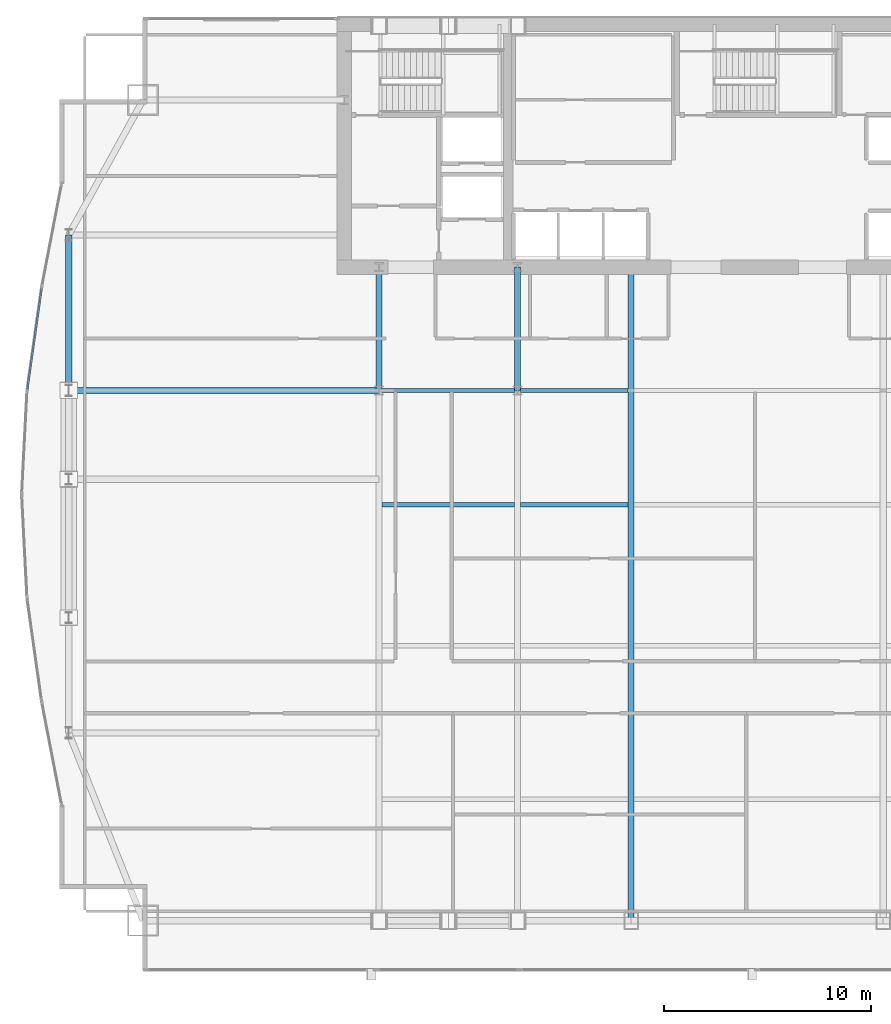
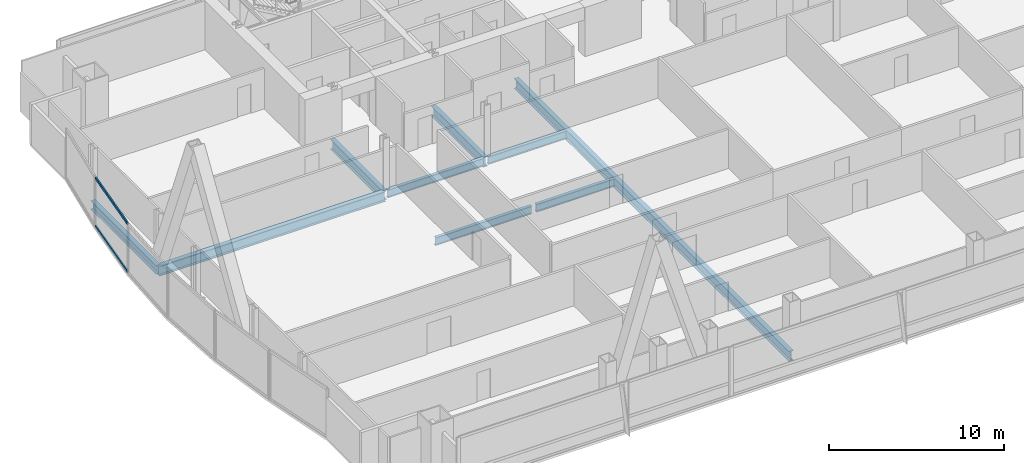
# One storey, part 12 of 33: 9 beams, 2 members, 1 element without a shape of its own.
"""IFC4 building model written with IfcOpenShell, lengths in metres."""

from ifc_helpers import new_model, si_unit, direction, frame, origin, origin_2d, place, context, subcontext, project, spatial, hollow_rectangle, i_section, extrude, material, material_profile, profile_set, type_object, element, aggregate, save


model = new_model("IFC4")

# Units and contexts
model_context = context("Model", 3, precision=1e-05, world=origin(), true_north=direction((0.0, 1.0)))
body_context = subcontext(model_context, "Body", "Model", "MODEL_VIEW")
ifc_project = project(units=[si_unit("LENGTHUNIT", "METRE"), si_unit("AREAUNIT", "SQUARE_METRE"), si_unit("VOLUMEUNIT", "CUBIC_METRE"), si_unit("PLANEANGLEUNIT", "RADIAN"), si_unit("MASSUNIT", "GRAM", prefix="KILO")], contexts=[model_context])

# Site, building, storey
site_placement = place(None, origin())
site = spatial("IfcSite", under=ifc_project, at=site_placement, CompositionType="ELEMENT")
building_placement = place(site_placement, origin())
building = spatial("IfcBuilding", under=site, at=building_placement, Name="Khoronbel Lancet Exchange", CompositionType="ELEMENT")
storey_placement = place(building_placement, frame((0.0, 0.0, 118.199951171875)))
storey = spatial("IfcBuildingStorey", under=building, at=storey_placement, Name="L28", CompositionType="ELEMENT", Elevation=118.199951171875)

# Beams
ifc_material_1 = material(Name="Steel S355", Category="steel")
ifc_material_profile_1 = material_profile(ifc_material_1, i_section(OverallWidth=0.300048828125, OverallDepth=0.699951171875, WebThickness=0.01708984375, FlangeThickness=0.031982421875, at=origin_2d()), Name="HEB 700")
ifc_profile_set_1 = profile_set([ifc_material_profile_1], Name="Steel S355")
beam_type_1 = type_object("IfcBeamType", Name="BM-BG3", PredefinedType="BEAM", material=ifc_profile_set_1)
for number, where, z_axis, x_axis, name in (
    (1, (18.22509765625, 35.699951171875, -0.510009765625), (0.0, 1.0, 0.0), (-1.0, 0.0, 0.0), "Level L28 spine tie girder GN1"),
    (2, (24.89990234375, 35.699951171875, -0.510009765625), (0.0, 1.0, 0.0), (-1.0, 0.0, 0.0), "Level L28 spine tie girder GN2"),
):
    element("IfcBeam", number, at=place(storey_placement, frame(where, z_axis=z_axis, x_axis=x_axis)), inside=storey, type_object=beam_type_1, Name=name, PredefinedType="BEAM", context=body_context, shape_type="SweptSolid", body=[
        extrude(i_section(OverallWidth=0.300048828125, OverallDepth=0.699951171875, WebThickness=0.01708984375, FlangeThickness=0.031982421875, at=origin_2d()), origin(), (0.0, 0.0, 1.0), 5.949951171875),
    ])
beam_1_placement = place(storey_placement, frame((30.375, 10.14990234375, -0.510009765625), z_axis=(0.0, 1.0, 0.0), x_axis=(-1.0, 0.0, 0.0)))
element("IfcBeam", 3, at=beam_1_placement, inside=storey, type_object=beam_type_1, Name="Level L28 primary floor girder G3", PredefinedType="BEAM", context=body_context, shape_type="SweptSolid", body=[
    extrude(i_section(OverallWidth=0.300048828125, OverallDepth=0.699951171875, WebThickness=0.01708984375, FlangeThickness=0.031982421875, at=origin_2d()), origin(), (0.0, 0.0, 1.0), 31.5),
])
beam_2_placement = place(storey_placement, frame((3.27001953125, 35.699951171875, -0.510009765625), z_axis=(1.0, 0.0, 0.0), x_axis=(0.0, 1.0, 0.0)))
element("IfcBeam", 4, at=beam_2_placement, inside=storey, type_object=beam_type_1, Name="Level L28 west lens tie girder LG4W", PredefinedType="BEAM", context=body_context, shape_type="SweptSolid", body=[
    extrude(i_section(OverallWidth=0.300048828125, OverallDepth=0.699951171875, WebThickness=0.01708984375, FlangeThickness=0.031982421875, at=origin_2d()), origin(), (0.0, 0.0, 1.0), 14.955078125),
])
ifc_material_profile_2 = material_profile(ifc_material_1, i_section(OverallWidth=0.2099609375, OverallDepth=0.550048828125, WebThickness=0.010986328125, FlangeThickness=0.01708984375, at=origin_2d()), Name="IPE 550")
ifc_profile_set_2 = profile_set([ifc_material_profile_2], Name="Steel S355")
beam_type_2 = type_object("IfcBeamType", Name="BM-BJ2", PredefinedType="JOIST", material=ifc_profile_set_2)
beam_3_placement = place(storey_placement, frame((18.375, 30.199951171875, -0.43505859375), z_axis=(1.0, 0.0, 0.0), x_axis=(0.0, 1.0, 0.0)))
element("IfcBeam", 5, at=beam_3_placement, inside=storey, type_object=beam_type_2, Name="Level L28 secondary composite joist J11", PredefinedType="JOIST", context=body_context, shape_type="SweptSolid", body=[
    extrude(i_section(OverallWidth=0.2099609375, OverallDepth=0.550048828125, WebThickness=0.010986328125, FlangeThickness=0.01708984375, at=origin_2d()), origin(), (0.0, 0.0, 1.0), 6.375),
])
beam_4_placement = place(storey_placement, frame((25.050048828125, 30.199951171875, -0.43505859375), z_axis=(1.0, 0.0, 0.0), x_axis=(0.0, 1.0, 0.0)))
element("IfcBeam", 6, at=beam_4_placement, inside=storey, type_object=beam_type_2, Name="Level L28 secondary composite joist J12", PredefinedType="JOIST", context=body_context, shape_type="SweptSolid", body=[
    extrude(i_section(OverallWidth=0.2099609375, OverallDepth=0.550048828125, WebThickness=0.010986328125, FlangeThickness=0.01708984375, at=origin_2d()), origin(), (0.0, 0.0, 1.0), 5.175048828125),
])
beam_5_placement = place(storey_placement, frame((18.375, 35.699951171875, -0.43505859375), z_axis=(1.0, 0.0, 0.0), x_axis=(0.0, 1.0, 0.0)))
element("IfcBeam", 7, at=beam_5_placement, inside=storey, type_object=beam_type_2, Name="Level L28 secondary composite joist J16", PredefinedType="JOIST", context=body_context, shape_type="SweptSolid", body=[
    extrude(i_section(OverallWidth=0.2099609375, OverallDepth=0.550048828125, WebThickness=0.010986328125, FlangeThickness=0.01708984375, at=origin_2d()), origin(), (0.0, 0.0, 1.0), 6.375),
])
beam_6_placement = place(storey_placement, frame((25.050048828125, 35.699951171875, -0.43505859375), z_axis=(1.0, 0.0, 0.0), x_axis=(0.0, 1.0, 0.0)))
element("IfcBeam", 8, at=beam_6_placement, inside=storey, type_object=beam_type_2, Name="Level L28 secondary composite joist J17", PredefinedType="JOIST", context=body_context, shape_type="SweptSolid", body=[
    extrude(i_section(OverallWidth=0.2099609375, OverallDepth=0.550048828125, WebThickness=0.010986328125, FlangeThickness=0.01708984375, at=origin_2d()), origin(), (0.0, 0.0, 1.0), 5.175048828125),
])
ifc_material_profile_3 = material_profile(ifc_material_1, i_section(OverallWidth=0.300048828125, OverallDepth=0.60009765625, WebThickness=0.015380859375, FlangeThickness=0.030029296875, at=origin_2d()), Name="HEB 600")
ifc_profile_set_3 = profile_set([ifc_material_profile_3], Name="Steel S355")
beam_type_3 = type_object("IfcBeamType", Name="BM-BSP2", PredefinedType="SPANDREL", material=ifc_profile_set_3)
beam_7_placement = place(storey_placement, frame((3.27001953125, 43.199951171875, -0.4599609375), z_axis=(0.0, -1.0, 0.0), x_axis=(1.0, 0.0, 0.0)))
element("IfcBeam", 9, at=beam_7_placement, inside=storey, type_object=beam_type_3, Name="Level L28 perimeter spandrel beam SP17", PredefinedType="SPANDREL", context=body_context, shape_type="SweptSolid", body=[
    extrude(i_section(OverallWidth=0.300048828125, OverallDepth=0.60009765625, WebThickness=0.015380859375, FlangeThickness=0.030029296875, at=origin_2d()), origin(), (0.0, 0.0, 1.0), 7.5),
])

# Curtain wall, members
ifc_material_2 = material(Name="Low-E Solar Control Insulating Glass", Category="glass")
curtain_wall_type = type_object("IfcCurtainWallType", Name="CW-4", PredefinedType="NOTDEFINED", material=ifc_material_2)
curtain_wall_placement = place(storey_placement, origin())
curtain_wall = element("IfcCurtainWall", 10, at=curtain_wall_placement, inside=storey, type_object=curtain_wall_type, Name="Unitised curtain wall CW-L28-E08", PredefinedType="NOTDEFINED")
ifc_material_3 = material(Name="Bronze-Anodised Aluminium 6063-T6", Category="aluminium")
ifc_material_profile_4 = material_profile(ifc_material_3, hollow_rectangle(XDim=0.0849609375, YDim=0.179931640625, WallThickness=0.0048828125, at=origin_2d()), Name="ALU TRANSOM 85x180")
ifc_profile_set_4 = profile_set([ifc_material_profile_4], Name="Bronze-Anodised Aluminium 6063-T6")
member_type = type_object("IfcMemberType", Name="MEM-CWT1", PredefinedType="USERDEFINED", material=ifc_profile_set_4)
member_1_placement = place(storey_placement, frame((1.2783203125, 35.765625, 0.04248046875), z_axis=(0.139947386393, 0.990158941303, 0.0), x_axis=(-0.990158941303, 0.139947386393, 0.0)))
member_1 = element("IfcMember", 11, at=member_1_placement, type_object=member_type, Name="CW4 transom 1.1", ObjectType="TRANSOM", PredefinedType="USERDEFINED", context=body_context, shape_type="SweptSolid", body=[
    extrude(hollow_rectangle(XDim=0.0849609375, YDim=0.179931640625, WallThickness=0.0048828125, at=origin_2d()), origin(), (0.0, 0.0, 1.0), 4.893310546875),
])
member_2_placement = place(storey_placement, frame((1.2783203125, 35.765625, 3.3974609375), z_axis=(0.139947386393, 0.990158941303, 0.0), x_axis=(-0.990158941303, 0.139947386393, 0.0)))
member_2 = element("IfcMember", 12, at=member_2_placement, type_object=member_type, Name="CW4 transom 1.2", ObjectType="TRANSOM", PredefinedType="USERDEFINED", context=body_context, shape_type="SweptSolid", body=[
    extrude(hollow_rectangle(XDim=0.0849609375, YDim=0.179931640625, WallThickness=0.0048828125, at=origin_2d()), origin(), (0.0, 0.0, 1.0), 4.893310546875),
])
aggregate(curtain_wall, [member_1, member_2])

save(model, "model.ifc")
